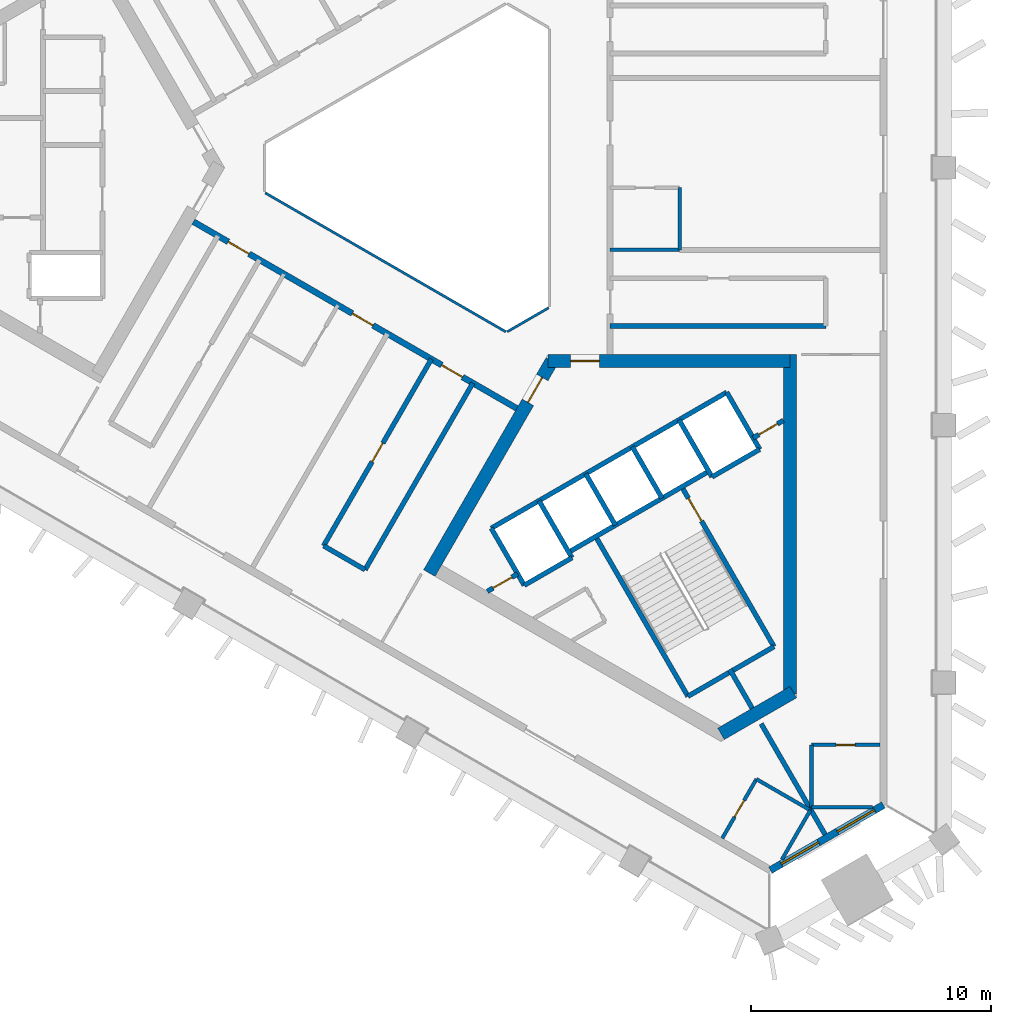
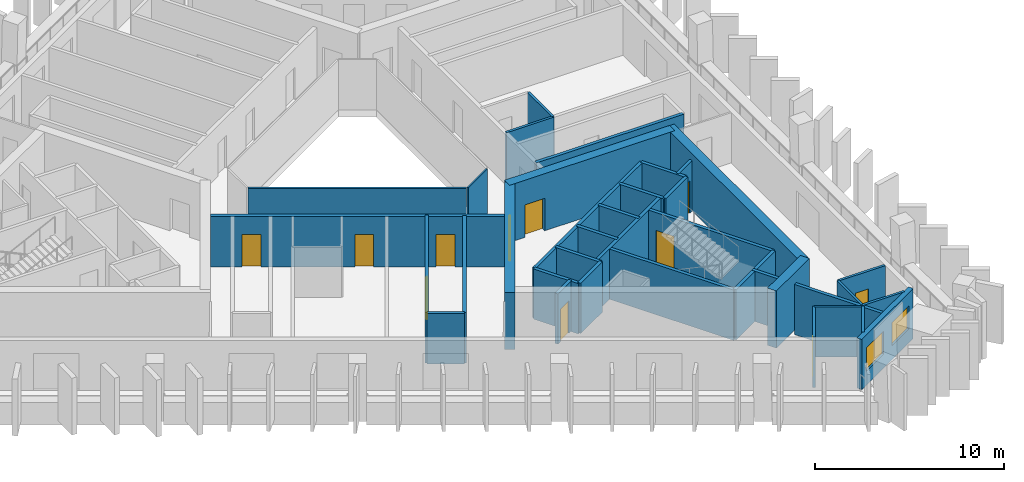
# One storey, part 3 of 10: 37 walls, 11 doors, 2 windows, 13 openings.
"""IFC4 building model written with IfcOpenShell, lengths in metres."""

from ifc_helpers import new_model, si_unit, direction, frame, frame_2d, origin, place, context, subcontext, project, spatial, rectangle, extrude, material, layer, layer_set, type_object, element, fill, save


model = new_model("IFC4")

# Units and contexts
model_context = context("Model", 3, precision=1e-05, world=origin(), true_north=direction((0.0, 1.0)))
body_context = subcontext(model_context, "Body", "Model", "MODEL_VIEW")
ifc_project = project(units=[si_unit("LENGTHUNIT", "METRE"), si_unit("AREAUNIT", "SQUARE_METRE"), si_unit("VOLUMEUNIT", "CUBIC_METRE"), si_unit("PLANEANGLEUNIT", "RADIAN"), si_unit("MASSUNIT", "GRAM", prefix="KILO")], contexts=[model_context])

# Site, building, storey
site_placement = place(None, origin())
site = spatial("IfcSite", under=ifc_project, at=site_placement, CompositionType="ELEMENT")
building_placement = place(site_placement, origin())
building = spatial("IfcBuilding", under=site, at=building_placement, Name="Jabali Bay Hotel Tower and Convention Centre", CompositionType="ELEMENT")
storey_placement = place(building_placement, frame((0.0, 0.0, 178.5)))
storey = spatial("IfcBuildingStorey", under=building, at=storey_placement, Name="L43", CompositionType="ELEMENT", Elevation=178.5)

# Walls
ifc_material_1 = material(Name="Fire-resistant glazing", Category="glass")
ifc_layer_1 = layer(ifc_material_1, 0.10009765625)
ifc_layer_set_1 = layer_set([ifc_layer_1], Name="Fire-resistant glazing")
wall_type_1 = type_object("IfcWallType", Name="Atrium glazed screen 100", PredefinedType="PARTITIONING", material=ifc_layer_set_1)
wall_1_placement = place(storey_placement, frame((67.7021484375, 78.947998046875, 0.0), z_axis=(0.0, 0.0, 1.0), x_axis=(0.866026658274, -0.499997827154, 0.0)))
element("IfcWall", 1, at=wall_1_placement, inside=storey, type_object=wall_type_1, Name="Atrium screen 5 L43", PredefinedType="PARTITIONING", context=body_context, shape_type="SweptSolid", body=[
    extrude(rectangle(XDim=11.58837890625, YDim=0.10009765625, at=frame_2d((5.794189453125, 0.0))), origin(), (0.0, 0.0, 1.0), 3.25),
])
wall_2_placement = place(storey_placement, frame((77.7978515625, 73.15380859375, 0.0), z_axis=(0.0, 0.0, 1.0), x_axis=(0.866041268327, 0.499972520799, 0.0)))
element("IfcWall", 2, at=wall_2_placement, inside=storey, type_object=wall_type_1, Name="Atrium screen 6 L43", PredefinedType="PARTITIONING", context=body_context, shape_type="SweptSolid", body=[
    extrude(rectangle(XDim=2.0, YDim=0.10009765625, at=frame_2d((1.0, 0.0))), origin(), (0.0, 0.0, 1.0), 3.25),
])
ifc_material_2 = material(Name="Concrete C40", Category="concrete")
ifc_layer_2 = layer(ifc_material_2, 0.199951171875)
ifc_layer_set_2 = layer_set([ifc_layer_2], Name="Concrete C40")
wall_type_2 = type_object("IfcWallType", Name="Core partition wall 200", PredefinedType="PARTITIONING", material=ifc_layer_set_2)
wall_3_placement = place(storey_placement, frame((87.090087890625, 59.0595703125, 0.0), z_axis=(0.0, 0.0, 1.0), x_axis=(0.499951854219, -0.86605319898, 0.0)))
element("IfcWall", 3, at=wall_3_placement, inside=storey, type_object=wall_type_2, Name="Core wall 2.5 L43", PredefinedType="PARTITIONING", context=body_context, shape_type="SweptSolid", body=[
    extrude(rectangle(XDim=1.873291015625, YDim=0.199951171875, at=frame_2d((0.9365234375, 0.0))), origin(), (0.0, 0.0, 1.0), 3.25),
])

# Wall, opening, door
wall_4_placement = place(storey_placement, frame((76.969970703125, 62.315673828125, 0.0), z_axis=(0.0, 0.0, 1.0), x_axis=(0.865982457891, 0.500074377092, 0.0)))
wall_4 = element("IfcWall", 4, at=wall_4_placement, inside=storey, type_object=wall_type_2, Name="Core wall 2.11 L43", PredefinedType="PARTITIONING", context=body_context, shape_type="SweptSolid", body=[
    extrude(rectangle(XDim=1.461181640625, YDim=0.199951171875, at=frame_2d((0.73046875, 0.0))), origin(), (0.0, 0.0, 1.0), 3.25),
])
opening_1_placement = place(wall_4_placement, frame((0.280517578125, 0.0, 0.0)))
opening_1 = element("IfcOpeningElement", 5, at=opening_1_placement, cuts=wall_4, Name="Opening D944", PredefinedType="OPENING", context=body_context, shape_type="SweptSolid", body=[
    extrude(rectangle(XDim=0.89990234375, YDim=2.10009765625, at=frame_2d((0.449951171875, 1.050048828125))), frame((0.0, 0.1103515625, 0.0), z_axis=(0.0, -1.0, 0.0), x_axis=(1.0, 0.0, 0.0)), (0.0, 0.0, 1.0), 0.220947265625),
])
ifc_material_3 = material(Name="Fire-rated steel door", Category="steel")
door_type_1 = type_object("IfcDoorType", Name="Vestibule fire door 900 x 2100", OperationType="NOTDEFINED", PredefinedType="NOTDEFINED", material=ifc_material_3)
door_1_placement = place(opening_1_placement, origin())
door_1 = element("IfcDoor", 6, at=door_1_placement, inside=storey, type_object=door_type_1, Name="Vestibule fire door D944", OperationType="SINGLE_SWING_LEFT", OverallHeight=2.10009765625, OverallWidth=0.89990234375, PredefinedType="NOTDEFINED", context=body_context, shape_type="SweptSolid", body=[
    extrude(rectangle(XDim=0.89990234375, YDim=2.10009765625, at=frame_2d((0.449951171875, 1.050048828125))), frame((0.0, 0.02490234375, 0.0), z_axis=(0.0, -1.0, 0.0), x_axis=(1.0, 0.0, 0.0)), (0.0, 0.0, 1.0), 0.050048828125),
])
fill(opening_1, door_1)

wall_5_placement = place(storey_placement, frame((88.064697265625, 68.72119140625, 0.0), z_axis=(0.0, 0.0, 1.0), x_axis=(0.865982457891, 0.500074377092, 0.0)))
wall_5 = element("IfcWall", 7, at=wall_5_placement, inside=storey, type_object=wall_type_2, Name="Core wall 2.12 L43", PredefinedType="PARTITIONING", context=body_context, shape_type="SweptSolid", body=[
    extrude(rectangle(XDim=1.461181640625, YDim=0.199951171875, at=frame_2d((0.73046875, 0.0))), origin(), (0.0, 0.0, 1.0), 3.25),
])
opening_2_placement = place(wall_5_placement, frame((0.280517578125, 0.0, 0.0)))
opening_2 = element("IfcOpeningElement", 8, at=opening_2_placement, cuts=wall_5, Name="Opening D943", PredefinedType="OPENING", context=body_context, shape_type="SweptSolid", body=[
    extrude(rectangle(XDim=0.89990234375, YDim=2.10009765625, at=frame_2d((0.449951171875, 1.050048828125))), frame((0.0, 0.1103515625, 0.0), z_axis=(0.0, -1.0, 0.0), x_axis=(1.0, 0.0, 0.0)), (0.0, 0.0, 1.0), 0.220947265625),
])
door_2_placement = place(opening_2_placement, origin())
door_2 = element("IfcDoor", 9, at=door_2_placement, inside=storey, type_object=door_type_1, Name="Vestibule fire door D943", OperationType="SINGLE_SWING_LEFT", OverallHeight=2.10009765625, OverallWidth=0.89990234375, PredefinedType="NOTDEFINED", context=body_context, shape_type="SweptSolid", body=[
    extrude(rectangle(XDim=0.89990234375, YDim=2.10009765625, at=frame_2d((0.449951171875, 1.050048828125))), frame((0.0, 0.02490234375, 0.0), z_axis=(0.0, -1.0, 0.0), x_axis=(1.0, 0.0, 0.0)), (0.0, 0.0, 1.0), 0.050048828125),
])
fill(opening_2, door_2)

# Walls
ifc_layer_3 = layer(ifc_material_2, 0.199951171875)
ifc_layer_set_3 = layer_set([ifc_layer_3], Name="Concrete C40")
wall_type_3 = type_object("IfcWallType", Name="Core stair wall 200", PredefinedType="SOLIDWALL", material=ifc_layer_set_3)
for number, where, z_axis, x_axis, name in (
    (10, (77.13525390625, 64.95166015625, 0.0), (0.0, 0.0, 1.0), (0.499996545922, -0.866027397988, 0.0), "Core wall 2.0 L43"),
    (11, (79.127197265625, 66.1015625, 0.0), (0.0, 0.0, 1.0), (0.499996545922, -0.866027397988, 0.0), "Core wall 2.2 L43"),
):
    element("IfcWall", number, at=place(storey_placement, frame(where, z_axis=z_axis, x_axis=x_axis)), inside=storey, type_object=wall_type_3, Name=name, PredefinedType="SOLIDWALL", context=body_context, shape_type="SweptSolid", body=[
        extrude(rectangle(XDim=2.75, YDim=0.199951171875, at=frame_2d((1.375, 0.0))), origin(), (0.0, 0.0, 1.0), 3.25),
    ])
wall_6_placement = place(storey_placement, frame((81.492919921875, 64.603759765625, 0.0), z_axis=(0.0, 0.0, 1.0), x_axis=(0.500006057782, -0.866021906294, 0.0)))
element("IfcWall", 12, at=wall_6_placement, inside=storey, type_object=wall_type_3, Name="Core wall 2.3 L43", PredefinedType="SOLIDWALL", context=body_context, shape_type="SweptSolid", body=[
    extrude(rectangle(XDim=7.7001953125, YDim=0.199951171875, at=frame_2d((3.85009765625, 0.0))), origin(), (0.0, 0.0, 1.0), 3.25),
])
for number, where, z_axis, x_axis, name in (
    (13, (81.07568359375, 67.2265625, 0.0), (0.0, 0.0, 1.0), (0.50000366821, -0.866023285932, 0.0), "Core wall 2.4 L43"),
    (14, (83.024169921875, 68.3515625, 0.0), (0.0, 0.0, 1.0), (0.50000366821, -0.866023285932, 0.0), "Core wall 2.6 L43"),
):
    element("IfcWall", number, at=place(storey_placement, frame(where, z_axis=z_axis, x_axis=x_axis)), inside=storey, type_object=wall_type_3, Name=name, PredefinedType="SOLIDWALL", context=body_context, shape_type="SweptSolid", body=[
        extrude(rectangle(XDim=2.47998046875, YDim=0.199951171875, at=frame_2d((1.239990234375, 0.0))), origin(), (0.0, 0.0, 1.0), 3.25),
    ])

# Wall, opening, door
wall_7_placement = place(storey_placement, frame((85.0869140625, 66.6787109375, 0.0), z_axis=(0.0, 0.0, 1.0), x_axis=(0.500019787375, -0.866013979237, 0.0)))
wall_7 = element("IfcWall", 15, at=wall_7_placement, inside=storey, type_object=wall_type_3, Name="Core wall 2.7 L43", PredefinedType="SOLIDWALL", context=body_context, shape_type="SweptSolid", body=[
    extrude(rectangle(XDim=7.699951171875, YDim=0.199951171875, at=frame_2d((3.85009765625, 0.0))), origin(), (0.0, 0.0, 1.0), 3.25),
])
opening_3_placement = place(wall_7_placement, frame((0.550048828125, 0.0, 0.0)))
opening_3 = element("IfcOpeningElement", 16, at=opening_3_placement, cuts=wall_7, Name="Opening D945", PredefinedType="OPENING", context=body_context, shape_type="SweptSolid", body=[
    extrude(rectangle(XDim=1.10009765625, YDim=2.10009765625, at=frame_2d((0.550048828125, 1.050048828125))), frame((0.0, 0.1103515625, 0.0), z_axis=(0.0, -1.0, 0.0), x_axis=(1.0, 0.0, 0.0)), (0.0, 0.0, 1.0), 0.220947265625),
])
door_type_2 = type_object("IfcDoorType", Name="Stair fire door 1100 x 2100", OperationType="NOTDEFINED", PredefinedType="NOTDEFINED", material=ifc_material_3)
door_3_placement = place(opening_3_placement, origin())
door_3 = element("IfcDoor", 17, at=door_3_placement, inside=storey, type_object=door_type_2, Name="Stair fire door D945", OperationType="SINGLE_SWING_RIGHT", OverallHeight=2.10009765625, OverallWidth=1.10009765625, PredefinedType="NOTDEFINED", context=body_context, shape_type="SweptSolid", body=[
    extrude(rectangle(XDim=1.10009765625, YDim=2.10009765625, at=frame_2d((0.550048828125, 1.050048828125))), frame((0.0, 0.02490234375, 0.0), z_axis=(0.0, -1.0, 0.0), x_axis=(1.0, 0.0, 0.0)), (0.0, 0.0, 1.0), 0.050048828125),
])
fill(opening_3, door_3)

# Walls
for number, where, z_axis, x_axis, name in (
    (18, (84.972900390625, 69.4765625, 0.0), (0.0, 0.0, 1.0), (0.499996545922, -0.866027397988, 0.0), "Core wall 2.8 L43"),
    (19, (86.964599609375, 70.62646484375, 0.0), (0.0, 0.0, 1.0), (0.499996545922, -0.866027397988, 0.0), "Core wall 2.9 L43"),
):
    element("IfcWall", number, at=place(storey_placement, frame(where, z_axis=z_axis, x_axis=x_axis)), inside=storey, type_object=wall_type_3, Name=name, PredefinedType="SOLIDWALL", context=body_context, shape_type="SweptSolid", body=[
        extrude(rectangle(XDim=2.75, YDim=0.199951171875, at=frame_2d((1.375, 0.0))), origin(), (0.0, 0.0, 1.0), 3.25),
    ])
wall_8_placement = place(storey_placement, frame((77.13525390625, 64.95166015625, 0.0), z_axis=(0.0, 0.0, 1.0), x_axis=(0.866031916153, 0.499988720078, 0.0)))
element("IfcWall", 20, at=wall_8_placement, inside=storey, type_object=wall_type_3, Name="Core wall 2.10 L43", PredefinedType="SOLIDWALL", context=body_context, shape_type="SweptSolid", body=[
    extrude(rectangle(XDim=11.349853515625, YDim=0.199951171875, at=frame_2d((5.6748046875, 0.0))), origin(), (0.0, 0.0, 1.0), 3.25),
])
wall_9_placement = place(storey_placement, frame((80.3671875, 63.953857421875, 0.0), z_axis=(0.0, 0.0, 1.0), x_axis=(0.866026575979, 0.499997969693, 0.0)))
element("IfcWall", 21, at=wall_9_placement, inside=storey, type_object=wall_type_3, Name="Core wall 2.13 L43", PredefinedType="SOLIDWALL", context=body_context, shape_type="SweptSolid", body=[
    extrude(rectangle(XDim=6.75, YDim=0.199951171875, at=frame_2d((3.375, 0.0))), origin(), (0.0, 0.0, 1.0), 3.25),
])
wall_10_placement = place(storey_placement, frame((78.51025390625, 62.570068359375, 0.0), z_axis=(0.0, 0.0, 1.0), x_axis=(0.866053019151, 0.499952165731, 0.0)))
element("IfcWall", 22, at=wall_10_placement, inside=storey, type_object=wall_type_3, Name="Core wall 2.14 L43", PredefinedType="SOLIDWALL", context=body_context, shape_type="SweptSolid", body=[
    extrude(rectangle(XDim=2.300048828125, YDim=0.199951171875, at=frame_2d((1.14990234375, 0.0))), origin(), (0.0, 0.0, 1.0), 3.25),
])
wall_11_placement = place(storey_placement, frame((86.347900390625, 67.094970703125, 0.0), z_axis=(0.0, 0.0, 1.0), x_axis=(0.86602648383, 0.499998129301, 0.0)))
element("IfcWall", 23, at=wall_11_placement, inside=storey, type_object=wall_type_3, Name="Core wall 2.15 L43", PredefinedType="SOLIDWALL", context=body_context, shape_type="SweptSolid", body=[
    extrude(rectangle(XDim=2.2998046875, YDim=0.199951171875, at=frame_2d((1.14990234375, 0.0))), origin(), (0.0, 0.0, 1.0), 3.25),
])
wall_12_placement = place(storey_placement, frame((85.343017578125, 57.935302734375, 0.0), z_axis=(0.0, 0.0, 1.0), x_axis=(0.866004344652, 0.500036473714, 0.0)))
element("IfcWall", 24, at=wall_12_placement, inside=storey, type_object=wall_type_3, Name="Core wall 2.18 L43", PredefinedType="SOLIDWALL", context=body_context, shape_type="SweptSolid", body=[
    extrude(rectangle(XDim=4.150146484375, YDim=0.199951171875, at=frame_2d((2.0751953125, 0.0))), origin(), (0.0, 0.0, 1.0), 3.25),
])

# Wall, opening, door
ifc_material_4 = material(Name="Concrete C60", Category="concrete")
ifc_layer_4 = layer(ifc_material_4, 0.550048828125)
ifc_layer_set_4 = layer_set([ifc_layer_4], Name="Concrete C60")
wall_type_4 = type_object("IfcWallType", Name="Core wall 550", PredefinedType="SHEAR", material=ifc_layer_set_4)
wall_13_placement = place(storey_placement, frame((79.65869140625, 71.9306640625, 0.0), z_axis=(0.0, 0.0, 1.0), x_axis=(-0.500000202252, -0.866025287014, 0.0)))
wall_13 = element("IfcWall", 25, at=wall_13_placement, inside=storey, type_object=wall_type_4, Name="Core wall 3.1 L43", PredefinedType="SHEAR", context=body_context, shape_type="SweptSolid", body=[
    extrude(rectangle(XDim=10.22119140625, YDim=0.550048828125, at=frame_2d((5.110595703125, 0.0))), origin(), (0.0, 0.0, 1.0), 3.699951171875),
])
opening_4_placement = place(wall_13_placement, frame((0.791259765625, 0.0, 0.0)))
opening_4 = element("IfcOpeningElement", 26, at=opening_4_placement, cuts=wall_13, Name="Opening D941", PredefinedType="OPENING", context=body_context, shape_type="SweptSolid", body=[
    extrude(rectangle(XDim=1.199951171875, YDim=2.10009765625, at=frame_2d((0.60009765625, 1.050048828125))), frame((0.0, 0.28564453125, 0.0), z_axis=(0.0, -1.0, 0.0), x_axis=(1.0, 0.0, 0.0)), (0.0, 0.0, 1.0), 0.571044921875),
])
door_type_3 = type_object("IfcDoorType", Name="Corridor end fire door 1200 x 2100", OperationType="NOTDEFINED", PredefinedType="NOTDEFINED", material=ifc_material_3)
door_4_placement = place(opening_4_placement, origin())
door_4 = element("IfcDoor", 27, at=door_4_placement, inside=storey, type_object=door_type_3, Name="Corridor end fire door D941", OperationType="SINGLE_SWING_RIGHT", OverallHeight=2.10009765625, OverallWidth=1.199951171875, PredefinedType="NOTDEFINED", context=body_context, shape_type="SweptSolid", body=[
    extrude(rectangle(XDim=1.199951171875, YDim=2.10009765625, at=frame_2d((0.60009765625, 1.050048828125))), frame((0.0, 0.02490234375, 0.0), z_axis=(0.0, -1.0, 0.0), x_axis=(1.0, 0.0, 0.0)), (0.0, 0.0, 1.0), 0.050048828125),
])
fill(opening_4, door_4)

# Walls
wall_14_placement = place(storey_placement, frame((86.72314453125, 56.3671875, 0.0), z_axis=(0.0, 0.0, 1.0), x_axis=(0.865997833373, 0.500047750313, 0.0)))
element("IfcWall", 28, at=wall_14_placement, inside=storey, type_object=wall_type_4, Name="Core wall 3.3 L43", PredefinedType="SHEAR", context=body_context, shape_type="SweptSolid", body=[
    extrude(rectangle(XDim=3.486572265625, YDim=0.550048828125, at=frame_2d((1.7431640625, 0.0))), origin(), (0.0, 0.0, 1.0), 3.699951171875),
])
wall_15_placement = place(storey_placement, frame((89.60498046875, 58.03125, 0.0), z_axis=(0.0, 0.0, 1.0), x_axis=(0.0, 1.0, 0.0)))
element("IfcWall", 29, at=wall_15_placement, inside=storey, type_object=wall_type_4, Name="Core wall 3.4 L43", PredefinedType="SHEAR", context=body_context, shape_type="SweptSolid", body=[
    extrude(rectangle(XDim=14.174560546875, YDim=0.550048828125, at=frame_2d((7.08740234375, 0.0))), origin(), (0.0, 0.0, 1.0), 3.699951171875),
])

# Wall, opening, door
wall_16_placement = place(storey_placement, frame((89.60498046875, 71.9306640625, 0.0), z_axis=(0.0, 0.0, 1.0), x_axis=(-1.0, 0.0, 0.0)))
wall_16 = element("IfcWall", 30, at=wall_16_placement, inside=storey, type_object=wall_type_4, Name="Core wall 3.5 L43", PredefinedType="SHEAR", context=body_context, shape_type="SweptSolid", body=[
    extrude(rectangle(XDim=10.10498046875, YDim=0.550048828125, at=frame_2d((5.052490234375, 0.0))), origin(), (0.0, 0.0, 1.0), 3.699951171875),
])
opening_5_placement = place(wall_16_placement, frame((7.955078125, 0.0, 0.0)))
opening_5 = element("IfcOpeningElement", 31, at=opening_5_placement, cuts=wall_16, Name="Opening D942", PredefinedType="OPENING", context=body_context, shape_type="SweptSolid", body=[
    extrude(rectangle(XDim=1.199951171875, YDim=2.10009765625, at=frame_2d((0.60009765625, 1.050048828125))), frame((0.0, 0.28564453125, 0.0), z_axis=(0.0, -1.0, 0.0), x_axis=(1.0, 0.0, 0.0)), (0.0, 0.0, 1.0), 0.571044921875),
])
door_5_placement = place(opening_5_placement, origin())
door_5 = element("IfcDoor", 32, at=door_5_placement, inside=storey, type_object=door_type_3, Name="Corridor end fire door D942", OperationType="SINGLE_SWING_LEFT", OverallHeight=2.10009765625, OverallWidth=1.199951171875, PredefinedType="NOTDEFINED", context=body_context, shape_type="SweptSolid", body=[
    extrude(rectangle(XDim=1.199951171875, YDim=2.10009765625, at=frame_2d((0.60009765625, 1.050048828125))), frame((0.0, 0.02490234375, 0.0), z_axis=(0.0, -1.0, 0.0), x_axis=(1.0, 0.0, 0.0)), (0.0, 0.0, 1.0), 0.050048828125),
])
fill(opening_5, door_5)

# Wall, openings, doors
ifc_layer_5 = layer(ifc_material_4, 0.25)
ifc_layer_set_5 = layer_set([ifc_layer_5], Name="Concrete C60")
wall_type_5 = type_object("IfcWallType", Name="Corridor wall 250", PredefinedType="SHEAR", material=ifc_layer_set_5)
wall_17_placement = place(storey_placement, frame((64.699951171875, 77.748291015625, 0.0), z_axis=(0.0, 0.0, 1.0), x_axis=(0.866026492143, -0.499998114903, 0.0)))
wall_17 = element("IfcWall", 33, at=wall_17_placement, inside=storey, type_object=wall_type_5, Name="Corridor wall 3 L43", PredefinedType="SHEAR", context=body_context, shape_type="SweptSolid", body=[
    extrude(rectangle(XDim=15.58837890625, YDim=0.25, at=frame_2d((7.794189453125, 0.0))), origin(), (0.0, 0.0, 1.0), 3.25),
])
opening_6_placement = place(wall_17_placement, frame((1.682373046875, 0.0, 0.0)))
opening_6 = element("IfcOpeningElement", 34, at=opening_6_placement, cuts=wall_17, Name="Opening 4321", PredefinedType="OPENING", context=body_context, shape_type="SweptSolid", body=[
    extrude(rectangle(XDim=1.0, YDim=2.10009765625, at=frame_2d((0.5, 1.050048828125))), frame((0.0, 0.135498046875, 0.0), z_axis=(0.0, -1.0, 0.0), x_axis=(1.0, 0.0, 0.0)), (0.0, 0.0, 1.0), 0.27099609375),
])
opening_7_placement = place(wall_17_placement, frame((7.658935546875, 0.0, 0.0)))
opening_7 = element("IfcOpeningElement", 35, at=opening_7_placement, cuts=wall_17, Name="Opening 4326", PredefinedType="OPENING", context=body_context, shape_type="SweptSolid", body=[
    extrude(rectangle(XDim=1.0, YDim=2.10009765625, at=frame_2d((0.5, 1.050048828125))), frame((0.0, 0.135498046875, 0.0), z_axis=(0.0, -1.0, 0.0), x_axis=(1.0, 0.0, 0.0)), (0.0, 0.0, 1.0), 0.27099609375),
])
opening_8_placement = place(wall_17_placement, frame((11.970703125, 0.0, 0.0)))
opening_8 = element("IfcOpeningElement", 36, at=opening_8_placement, cuts=wall_17, Name="Opening 4327", PredefinedType="OPENING", context=body_context, shape_type="SweptSolid", body=[
    extrude(rectangle(XDim=1.0, YDim=2.10009765625, at=frame_2d((0.5, 1.050048828125))), frame((0.0, 0.135498046875, 0.0), z_axis=(0.0, -1.0, 0.0), x_axis=(1.0, 0.0, 0.0)), (0.0, 0.0, 1.0), 0.27099609375),
])
ifc_material_5 = material(Name="Timber", Category="wood")
door_type_4 = type_object("IfcDoorType", Name="Guest room door 1000 x 2100", OperationType="NOTDEFINED", PredefinedType="NOTDEFINED", material=ifc_material_5)
door_6_placement = place(opening_6_placement, origin())
door_6 = element("IfcDoor", 37, at=door_6_placement, inside=storey, type_object=door_type_4, Name="Door 4321", OperationType="SINGLE_SWING_LEFT", OverallHeight=2.10009765625, OverallWidth=1.0, PredefinedType="NOTDEFINED", context=body_context, shape_type="SweptSolid", body=[
    extrude(rectangle(XDim=1.0, YDim=2.10009765625, at=frame_2d((0.5, 1.050048828125))), frame((0.0, 0.02490234375, 0.0), z_axis=(0.0, -1.0, 0.0), x_axis=(1.0, 0.0, 0.0)), (0.0, 0.0, 1.0), 0.050048828125),
])
fill(opening_6, door_6)
door_7_placement = place(opening_7_placement, origin())
door_7 = element("IfcDoor", 38, at=door_7_placement, inside=storey, type_object=door_type_4, Name="Door 4326", OperationType="SINGLE_SWING_RIGHT", OverallHeight=2.10009765625, OverallWidth=1.0, PredefinedType="NOTDEFINED", context=body_context, shape_type="SweptSolid", body=[
    extrude(rectangle(XDim=1.0, YDim=2.10009765625, at=frame_2d((0.5, 1.050048828125))), frame((0.0, 0.02490234375, 0.0), z_axis=(0.0, -1.0, 0.0), x_axis=(1.0, 0.0, 0.0)), (0.0, 0.0, 1.0), 0.050048828125),
])
fill(opening_7, door_7)
door_8_placement = place(opening_8_placement, origin())
door_8 = element("IfcDoor", 39, at=door_8_placement, inside=storey, type_object=door_type_4, Name="Door 4327", OperationType="SINGLE_SWING_RIGHT", OverallHeight=2.10009765625, OverallWidth=1.0, PredefinedType="NOTDEFINED", context=body_context, shape_type="SweptSolid", body=[
    extrude(rectangle(XDim=1.0, YDim=2.10009765625, at=frame_2d((0.5, 1.050048828125))), frame((0.0, 0.02490234375, 0.0), z_axis=(0.0, -1.0, 0.0), x_axis=(1.0, 0.0, 0.0)), (0.0, 0.0, 1.0), 0.050048828125),
])
fill(opening_8, door_8)

# Wall, openings, windows
ifc_layer_6 = layer(ifc_material_2, 0.300048828125)
ifc_layer_set_6 = layer_set([ifc_layer_6], Name="Concrete C40")
wall_type_6 = type_object("IfcWallType", Name="External wall 300", PredefinedType="SOLIDWALL", material=ifc_layer_set_6)
wall_18_placement = place(storey_placement, frame((93.501953125, 53.397216796875, 0.0), z_axis=(0.0, 0.0, 1.0), x_axis=(-0.866026498114, -0.499998104561, 0.0)))
wall_18 = element("IfcWall", 40, at=wall_18_placement, inside=storey, type_object=wall_type_6, Name="External wall south-east chamfer L43", PredefinedType="SOLIDWALL", context=body_context, shape_type="SweptSolid", body=[
    extrude(rectangle(XDim=5.443359375, YDim=0.300048828125, at=frame_2d((2.7216796875, 0.0))), origin(), (0.0, 0.0, 1.0), 3.25),
])
opening_9_placement = place(wall_18_placement, frame((0.4228515625, 0.0, 0.89990234375)))
opening_9 = element("IfcOpeningElement", 41, at=opening_9_placement, cuts=wall_18, Name="Opening W1", PredefinedType="OPENING", context=body_context, shape_type="SweptSolid", body=[
    extrude(rectangle(XDim=1.800048828125, YDim=1.5, at=frame_2d((0.89990234375, 0.75))), frame((0.0, 0.16064453125, 0.0), z_axis=(0.0, -1.0, 0.0), x_axis=(1.0, 0.0, 0.0)), (0.0, 0.0, 1.0), 0.321044921875),
])
opening_10_placement = place(wall_18_placement, frame((3.121826171875, 0.0, 0.89990234375)))
opening_10 = element("IfcOpeningElement", 42, at=opening_10_placement, cuts=wall_18, Name="Opening W1", PredefinedType="OPENING", context=body_context, shape_type="SweptSolid", body=[
    extrude(rectangle(XDim=1.800048828125, YDim=1.5, at=frame_2d((0.89990234375, 0.75))), frame((0.0, 0.16064453125, 0.0), z_axis=(0.0, -1.0, 0.0), x_axis=(1.0, 0.0, 0.0)), (0.0, 0.0, 1.0), 0.321044921875),
])
ifc_material_6 = material(Name="Glass", Category="glass")
window_type = type_object("IfcWindowType", Name="Window 1800 x 1500", PartitioningType="SINGLE_PANEL", PredefinedType="WINDOW", material=ifc_material_6)
window_1_placement = place(opening_9_placement, origin())
window_1 = element("IfcWindow", 43, at=window_1_placement, inside=storey, type_object=window_type, Name="Window 4301", OverallHeight=1.5, OverallWidth=1.800048828125, PartitioningType="SINGLE_PANEL", PredefinedType="WINDOW", context=body_context, shape_type="SweptSolid", body=[
    extrude(rectangle(XDim=1.800048828125, YDim=1.5, at=frame_2d((0.89990234375, 0.75))), frame((0.0, 0.030029296875, 0.0), z_axis=(0.0, -1.0, 0.0), x_axis=(1.0, 0.0, 0.0)), (0.0, 0.0, 1.0), 0.06005859375),
])
fill(opening_9, window_1)
window_2_placement = place(opening_10_placement, origin())
window_2 = element("IfcWindow", 44, at=window_2_placement, inside=storey, type_object=window_type, Name="Window 4315", OverallHeight=1.5, OverallWidth=1.800048828125, PartitioningType="SINGLE_PANEL", PredefinedType="WINDOW", context=body_context, shape_type="SweptSolid", body=[
    extrude(rectangle(XDim=1.800048828125, YDim=1.5, at=frame_2d((0.89990234375, 0.75))), frame((0.0, 0.030029296875, 0.0), z_axis=(0.0, -1.0, 0.0), x_axis=(1.0, 0.0, 0.0)), (0.0, 0.0, 1.0), 0.06005859375),
])
fill(opening_10, window_2)

# Walls
ifc_material_7 = material(Name="Plasterboard on steel stud", Category="steel")
ifc_layer_7 = layer(ifc_material_7, 0.14990234375)
ifc_layer_set_7 = layer_set([ifc_layer_7], Name="Plasterboard on steel stud")
wall_type_7 = type_object("IfcWallType", Name="Partition 150 wet", PredefinedType="PARTITIONING", material=ifc_layer_set_7)
wall_19_placement = place(storey_placement, frame((85.0, 76.570556640625, 0.0), z_axis=(0.0, 0.0, 1.0), x_axis=(-1.0, 0.0, 0.0)))
element("IfcWall", 45, at=wall_19_placement, inside=storey, type_object=wall_type_7, Name="Partition P03 L43 006", PredefinedType="PARTITIONING", context=body_context, shape_type="SweptSolid", body=[
    extrude(rectangle(XDim=2.89990234375, YDim=0.14990234375, at=frame_2d((1.449951171875, 0.0))), origin(), (0.0, 0.0, 1.0), 3.25),
])
wall_20_placement = place(storey_placement, frame((93.046630859375, 53.306396484375, 0.0), z_axis=(0.0, 0.0, 1.0), x_axis=(-1.0, 0.0, 0.0)))
element("IfcWall", 46, at=wall_20_placement, inside=storey, type_object=wall_type_7, Name="Partition P03 L43 007", PredefinedType="PARTITIONING", context=body_context, shape_type="SweptSolid", body=[
    extrude(rectangle(XDim=2.545166015625, YDim=0.14990234375, at=frame_2d((1.2724609375, 0.0))), origin(), (0.0, 0.0, 1.0), 3.25),
])
wall_21_placement = place(storey_placement, frame((90.50146484375, 53.306396484375, 0.0), z_axis=(0.0, 0.0, 1.0), x_axis=(0.0, 1.0, 0.0)))
element("IfcWall", 47, at=wall_21_placement, inside=storey, type_object=wall_type_7, Name="Partition P03 L43 008", PredefinedType="PARTITIONING", context=body_context, shape_type="SweptSolid", body=[
    extrude(rectangle(XDim=2.60009765625, YDim=0.14990234375, at=frame_2d((1.300048828125, 0.0))), origin(), (0.0, 0.0, 1.0), 3.25),
])

# Wall, opening, door
wall_22_placement = place(storey_placement, frame((90.50146484375, 55.906494140625, 0.0), z_axis=(0.0, 0.0, 1.0), x_axis=(1.0, 0.0, 0.0)))
wall_22 = element("IfcWall", 48, at=wall_22_placement, inside=storey, type_object=wall_type_7, Name="Partition P03 L43 009", PredefinedType="PARTITIONING", context=body_context, shape_type="SweptSolid", body=[
    extrude(rectangle(XDim=2.8515625, YDim=0.14990234375, at=frame_2d((1.42578125, 0.0))), origin(), (0.0, 0.0, 1.0), 3.25),
])
opening_11_placement = place(wall_22_placement, frame((1.02587890625, 0.0, 0.0)))
opening_11 = element("IfcOpeningElement", 49, at=opening_11_placement, cuts=wall_22, Name="Opening 4303", PredefinedType="OPENING", context=body_context, shape_type="SweptSolid", body=[
    extrude(rectangle(XDim=0.800048828125, YDim=2.10009765625, at=frame_2d((0.39990234375, 1.050048828125))), frame((0.0, 0.08544921875, 0.0), z_axis=(0.0, -1.0, 0.0), x_axis=(1.0, 0.0, 0.0)), (0.0, 0.0, 1.0), 0.1708984375),
])
door_type_5 = type_object("IfcDoorType", Name="En-suite door 800 x 2100", OperationType="NOTDEFINED", PredefinedType="NOTDEFINED", material=ifc_material_5)
door_9_placement = place(opening_11_placement, origin())
door_9 = element("IfcDoor", 50, at=door_9_placement, inside=storey, type_object=door_type_5, Name="Door 4303", OperationType="SINGLE_SWING_LEFT", OverallHeight=2.10009765625, OverallWidth=0.800048828125, PredefinedType="NOTDEFINED", context=body_context, shape_type="SweptSolid", body=[
    extrude(rectangle(XDim=0.800048828125, YDim=2.10009765625, at=frame_2d((0.39990234375, 1.050048828125))), frame((0.0, 0.02490234375, 0.0), z_axis=(0.0, -1.0, 0.0), x_axis=(1.0, 0.0, 0.0)), (0.0, 0.0, 1.0), 0.050048828125),
])
fill(opening_11, door_9)

# Wall
wall_23_placement = place(storey_placement, frame((85.0, 79.170654296875, 0.0), z_axis=(0.0, 0.0, 1.0), x_axis=(0.0, -1.0, 0.0)))
element("IfcWall", 51, at=wall_23_placement, inside=storey, type_object=wall_type_7, Name="Partition P03 L43 012", PredefinedType="PARTITIONING", context=body_context, shape_type="SweptSolid", body=[
    extrude(rectangle(XDim=2.60009765625, YDim=0.14990234375, at=frame_2d((1.300048828125, 0.0))), origin(), (0.0, 0.0, 1.0), 3.25),
])

# Wall, opening, door
wall_24_placement = place(storey_placement, frame((86.7763671875, 52.0087890625, 0.0), z_axis=(0.0, 0.0, 1.0), x_axis=(0.500006551472, 0.866021621257, 0.0)))
wall_24 = element("IfcWall", 52, at=wall_24_placement, inside=storey, type_object=wall_type_7, Name="Partition P03 L43 056", PredefinedType="PARTITIONING", context=body_context, shape_type="SweptSolid", body=[
    extrude(rectangle(XDim=2.8515625, YDim=0.14990234375, at=frame_2d((1.42578125, 0.0))), origin(), (0.0, 0.0, 1.0), 3.25),
])
opening_12_placement = place(wall_24_placement, frame((1.02587890625, 0.0, 0.0)))
opening_12 = element("IfcOpeningElement", 53, at=opening_12_placement, cuts=wall_24, Name="Opening 4329", PredefinedType="OPENING", context=body_context, shape_type="SweptSolid", body=[
    extrude(rectangle(XDim=0.800048828125, YDim=2.10009765625, at=frame_2d((0.39990234375, 1.050048828125))), frame((0.0, 0.08544921875, 0.0), z_axis=(0.0, -1.0, 0.0), x_axis=(1.0, 0.0, 0.0)), (0.0, 0.0, 1.0), 0.1708984375),
])
door_10_placement = place(opening_12_placement, origin())
door_10 = element("IfcDoor", 54, at=door_10_placement, inside=storey, type_object=door_type_5, Name="Door 4329", OperationType="SINGLE_SWING_LEFT", OverallHeight=2.10009765625, OverallWidth=0.800048828125, PredefinedType="NOTDEFINED", context=body_context, shape_type="SweptSolid", body=[
    extrude(rectangle(XDim=0.800048828125, YDim=2.10009765625, at=frame_2d((0.39990234375, 1.050048828125))), frame((0.0, 0.02490234375, 0.0), z_axis=(0.0, -1.0, 0.0), x_axis=(1.0, 0.0, 0.0)), (0.0, 0.0, 1.0), 0.050048828125),
])
fill(opening_12, door_10)

# Walls
wall_25_placement = place(storey_placement, frame((88.2021484375, 54.478271484375, 0.0), z_axis=(0.0, 0.0, 1.0), x_axis=(0.865997922154, -0.500047596559, 0.0)))
element("IfcWall", 55, at=wall_25_placement, inside=storey, type_object=wall_type_7, Name="Partition P03 L43 057", PredefinedType="PARTITIONING", context=body_context, shape_type="SweptSolid", body=[
    extrude(rectangle(XDim=2.599853515625, YDim=0.14990234375, at=frame_2d((1.2998046875, 0.0))), origin(), (0.0, 0.0, 1.0), 3.25),
])
wall_26_placement = place(storey_placement, frame((90.45361328125, 53.17822265625, 0.0), z_axis=(0.0, 0.0, 1.0), x_axis=(-0.499960165064, -0.866048401274, 0.0)))
element("IfcWall", 56, at=wall_26_placement, inside=storey, type_object=wall_type_7, Name="Partition P03 L43 058", PredefinedType="PARTITIONING", context=body_context, shape_type="SweptSolid", body=[
    extrude(rectangle(XDim=2.370849609375, YDim=0.14990234375, at=frame_2d((1.185546875, 0.0))), origin(), (0.0, 0.0, 1.0), 3.25),
])
ifc_layer_8 = layer(ifc_material_7, 0.199951171875)
ifc_layer_set_8 = layer_set([ifc_layer_8], Name="Plasterboard on steel stud")
wall_type_8 = type_object("IfcWallType", Name="Partition 200 party", PredefinedType="PARTITIONING", material=ifc_layer_set_8)
wall_27_placement = place(storey_placement, frame((91.10009765625, 73.38818359375, 0.0), z_axis=(0.0, 0.0, 1.0), x_axis=(-1.0, 0.0, 0.0)))
element("IfcWall", 57, at=wall_27_placement, inside=storey, type_object=wall_type_8, Name="Partition P01 L43 004", PredefinedType="PARTITIONING", context=body_context, shape_type="SweptSolid", body=[
    extrude(rectangle(XDim=9.0, YDim=0.199951171875, at=frame_2d((4.5, 0.0))), origin(), (0.0, 0.0, 1.0), 3.25),
])
wall_28_placement = place(storey_placement, frame((88.401123046875, 56.788818359375, 0.0), z_axis=(0.0, 0.0, 1.0), x_axis=(0.499970524249, -0.866042420948, 0.0)))
element("IfcWall", 58, at=wall_28_placement, inside=storey, type_object=wall_type_8, Name="Partition P01 L43 010", PredefinedType="PARTITIONING", context=body_context, shape_type="SweptSolid", body=[
    extrude(rectangle(XDim=5.338623046875, YDim=0.199951171875, at=frame_2d((2.66943359375, 0.0))), origin(), (0.0, 0.0, 1.0), 3.25),
])
wall_29_placement = place(storey_placement, frame((76.365966796875, 71.012939453125, 0.0), z_axis=(0.0, 0.0, 1.0), x_axis=(-0.5000018851, -0.866024315419, 0.0)))
element("IfcWall", 59, at=wall_29_placement, inside=storey, type_object=wall_type_8, Name="Partition P01 L43 053", PredefinedType="PARTITIONING", context=body_context, shape_type="SweptSolid", body=[
    extrude(rectangle(XDim=9.0, YDim=0.199951171875, at=frame_2d((4.5, 0.0))), origin(), (0.0, 0.0, 1.0), 3.25),
])
wall_30_placement = place(storey_placement, frame((71.865966796875, 63.21875, 0.0), z_axis=(0.0, 0.0, 1.0), x_axis=(-0.866010750942, 0.50002537861, 0.0)))
element("IfcWall", 60, at=wall_30_placement, inside=storey, type_object=wall_type_8, Name="Partition P01 L43 054", PredefinedType="PARTITIONING", context=body_context, shape_type="SweptSolid", body=[
    extrude(rectangle(XDim=2.0, YDim=0.199951171875, at=frame_2d((1.0, 0.0))), origin(), (0.0, 0.0, 1.0), 3.25),
])

# Wall, opening, door
wall_31_placement = place(storey_placement, frame((70.134033203125, 64.21875, 0.0), z_axis=(0.0, 0.0, 1.0), x_axis=(0.5000018851, 0.866024315419, 0.0)))
wall_31 = element("IfcWall", 61, at=wall_31_placement, inside=storey, type_object=wall_type_8, Name="Partition P01 L43 055", PredefinedType="PARTITIONING", context=body_context, shape_type="SweptSolid", body=[
    extrude(rectangle(XDim=9.0, YDim=0.199951171875, at=frame_2d((4.5, 0.0))), origin(), (0.0, 0.0, 1.0), 3.25),
])
opening_13_placement = place(wall_31_placement, frame((4.050048828125, 0.0, 0.0)))
opening_13 = element("IfcOpeningElement", 62, at=opening_13_placement, cuts=wall_31, Name="Opening 4330", PredefinedType="OPENING", context=body_context, shape_type="SweptSolid", body=[
    extrude(rectangle(XDim=0.89990234375, YDim=2.10009765625, at=frame_2d((0.449951171875, 1.050048828125))), frame((0.0, 0.1103515625, 0.0), z_axis=(0.0, -1.0, 0.0), x_axis=(1.0, 0.0, 0.0)), (0.0, 0.0, 1.0), 0.220947265625),
])
door_type_6 = type_object("IfcDoorType", Name="Internal door 900 x 2100", OperationType="NOTDEFINED", PredefinedType="NOTDEFINED", material=ifc_material_5)
door_11_placement = place(opening_13_placement, origin())
door_11 = element("IfcDoor", 63, at=door_11_placement, inside=storey, type_object=door_type_6, Name="Door 4330", OperationType="SINGLE_SWING_LEFT", OverallHeight=2.10009765625, OverallWidth=0.89990234375, PredefinedType="NOTDEFINED", context=body_context, shape_type="SweptSolid", body=[
    extrude(rectangle(XDim=0.89990234375, YDim=2.10009765625, at=frame_2d((0.449951171875, 1.050048828125))), frame((0.0, 0.02490234375, 0.0), z_axis=(0.0, -1.0, 0.0), x_axis=(1.0, 0.0, 0.0)), (0.0, 0.0, 1.0), 0.050048828125),
])
fill(opening_13, door_11)

save(model, "model.ifc")
